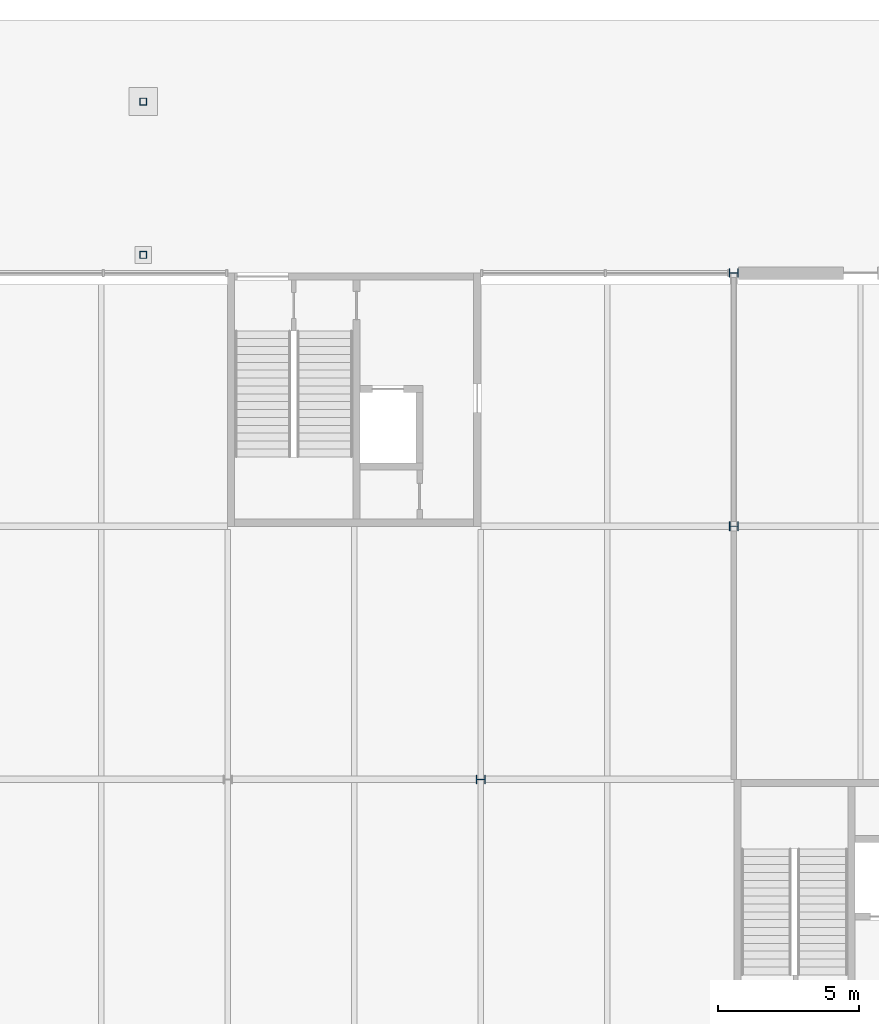
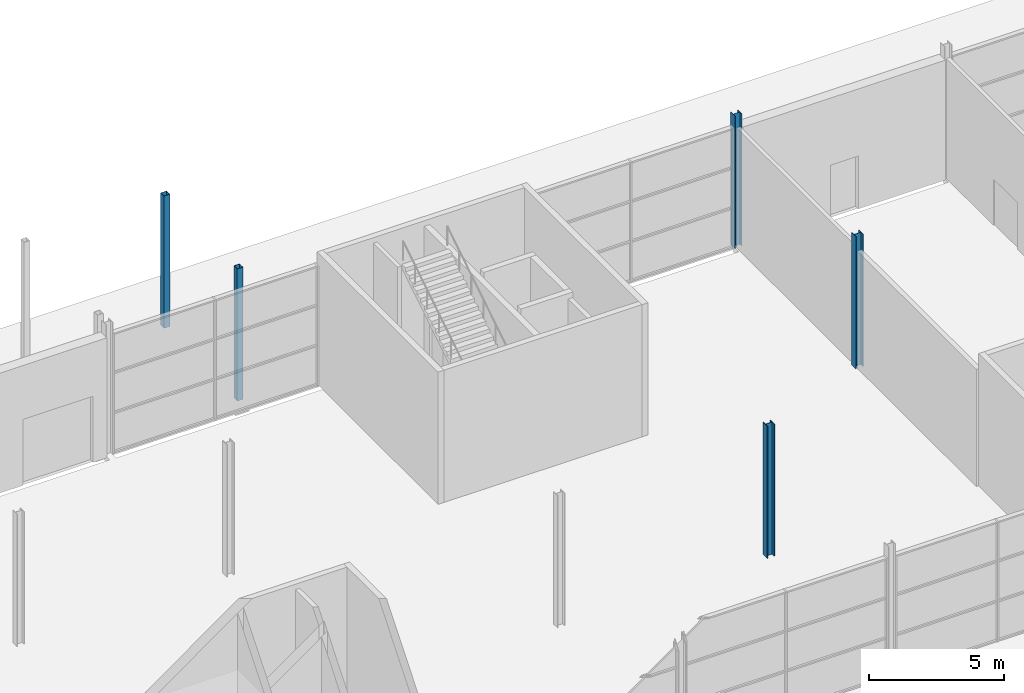
# One storey, part 24 of 97: 5 columns.
"""IFC4 building model written with IfcOpenShell, lengths in metres."""

from ifc_helpers import new_model, si_unit, direction, frame, origin, origin_2d, place, context, subcontext, project, spatial, hollow_rectangle, i_section, extrude, material, material_profile, profile_set, type_object, element, save


model = new_model("IFC4")

# Units and contexts
model_context = context("Model", 3, precision=1e-05, world=origin(), true_north=direction((0.0, 1.0)))
body_context = subcontext(model_context, "Body", "Model", "MODEL_VIEW")
ifc_project = project(units=[si_unit("LENGTHUNIT", "METRE"), si_unit("AREAUNIT", "SQUARE_METRE"), si_unit("VOLUMEUNIT", "CUBIC_METRE"), si_unit("PLANEANGLEUNIT", "RADIAN"), si_unit("MASSUNIT", "GRAM", prefix="KILO")], contexts=[model_context])

# Site, building, storey
site_placement = place(None, origin())
site = spatial("IfcSite", under=ifc_project, at=site_placement, CompositionType="ELEMENT")
building_placement = place(site_placement, origin())
building = spatial("IfcBuilding", under=site, at=building_placement, Name="Corbel Yard City Hall", CompositionType="ELEMENT")
storey_placement = place(building_placement, origin())
storey = spatial("IfcBuildingStorey", under=building, at=storey_placement, Name="L00", CompositionType="ELEMENT", Elevation=0.0)

# Columns
ifc_material_1 = material(Name="Steel Grade 300 (300 MPa yield)", Category="steel")
ifc_material_profile_1 = material_profile(ifc_material_1, i_section(OverallWidth=0.306884765625, OverallDepth=0.31494140625, WebThickness=0.011962890625, FlangeThickness=0.018798828125, at=origin_2d()), Name="310UC118")
ifc_profile_set_1 = profile_set([ifc_material_profile_1], Name="Steel Grade 300 (300 MPa yield)")
column_type_1 = type_object("IfcColumnType", Name="Column 310UC118", PredefinedType="COLUMN", material=ifc_profile_set_1)
column_placement = place(storey_placement, frame((117.0, 117.0, 0.0), z_axis=(0.0, 0.0, 1.0), x_axis=(0.0, 1.0, 0.0)))
element("IfcColumn", 1, at=column_placement, inside=storey, type_object=column_type_1, Name="Column 310UC118 N/14 L00", PredefinedType="COLUMN", context=body_context, shape_type="SweptSolid", body=[
    extrude(i_section(OverallWidth=0.306884765625, OverallDepth=0.31494140625, WebThickness=0.011962890625, FlangeThickness=0.018798828125, at=origin_2d()), origin(), (0.0, 0.0, 1.0), 6.0),
])
ifc_material_profile_2 = material_profile(ifc_material_1, i_section(OverallWidth=0.31103515625, OverallDepth=0.326904296875, WebThickness=0.015625, FlangeThickness=0.02490234375, at=origin_2d()), Name="310UC158")
ifc_profile_set_2 = profile_set([ifc_material_profile_2], Name="Steel Grade 300 (300 MPa yield)")
column_type_2 = type_object("IfcColumnType", Name="Column 310UC158", PredefinedType="COLUMN", material=ifc_profile_set_2)
for number, where, z_axis, x_axis, name in (
    (2, (108.0, 99.0, 0.0), (0.0, 0.0, 1.0), (0.0, 1.0, 0.0), "Column 310UC158 L/13 L00"),
    (3, (117.0, 108.0, 0.0), (0.0, 0.0, 1.0), (0.0, 1.0, 0.0), "Column 310UC158 M/14 L00"),
):
    element("IfcColumn", number, at=place(storey_placement, frame(where, z_axis=z_axis, x_axis=x_axis)), inside=storey, type_object=column_type_2, Name=name, PredefinedType="COLUMN", context=body_context, shape_type="SweptSolid", body=[
        extrude(i_section(OverallWidth=0.31103515625, OverallDepth=0.326904296875, WebThickness=0.015625, FlangeThickness=0.02490234375, at=origin_2d()), origin(), (0.0, 0.0, 1.0), 6.0),
    ])
ifc_material_2 = material(Name="Steel Grade C450L0", Category="steel")
ifc_material_profile_3 = material_profile(ifc_material_2, hollow_rectangle(XDim=0.25, YDim=0.25, WallThickness=0.012451171875, at=origin_2d()), Name="250x250x12.5SHS")
ifc_profile_set_3 = profile_set([ifc_material_profile_3], Name="Steel Grade C450L0")
column_type_3 = type_object("IfcColumnType", Name="Portico Column 250x250x12.5SHS", PredefinedType="COLUMN", material=ifc_profile_set_3)
for number, where, z_axis, x_axis, name in (
    (4, (96.0, 117.64990234375, 0.0), (0.0, 0.0, 1.0), (1.0, 0.0, 0.0), "Portico Column B04"),
    (5, (96.0, 123.10009765625, 0.0), (0.0, 0.0, 1.0), (1.0, 0.0, 0.0), "Portico Column F04"),
):
    element("IfcColumn", number, at=place(storey_placement, frame(where, z_axis=z_axis, x_axis=x_axis)), inside=storey, type_object=column_type_3, Name=name, PredefinedType="COLUMN", context=body_context, shape_type="SweptSolid", body=[
        extrude(hollow_rectangle(XDim=0.25, YDim=0.25, WallThickness=0.012451171875, at=origin_2d()), origin(), (0.0, 0.0, 1.0), 6.0),
    ])

save(model, "model.ifc")
